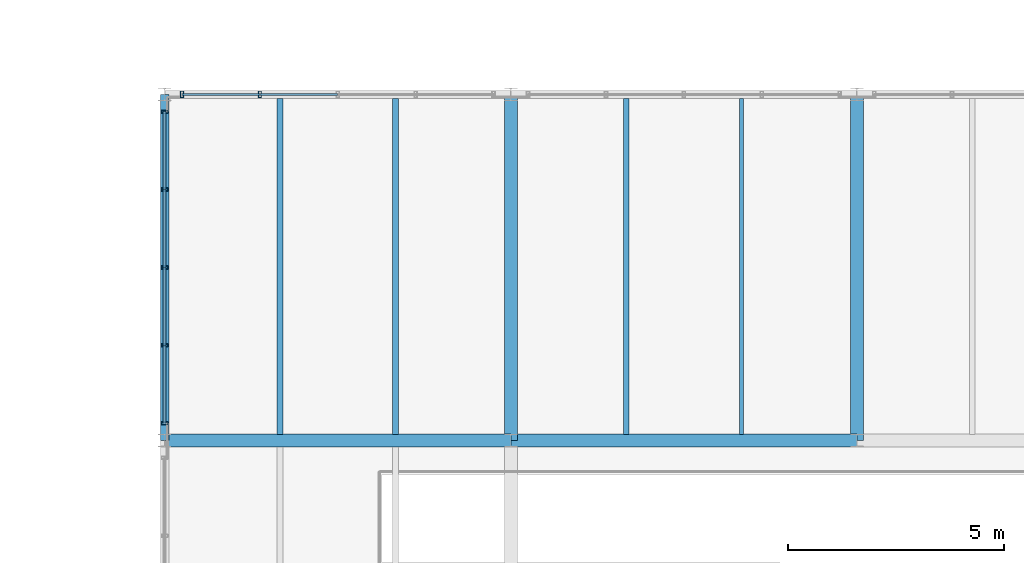
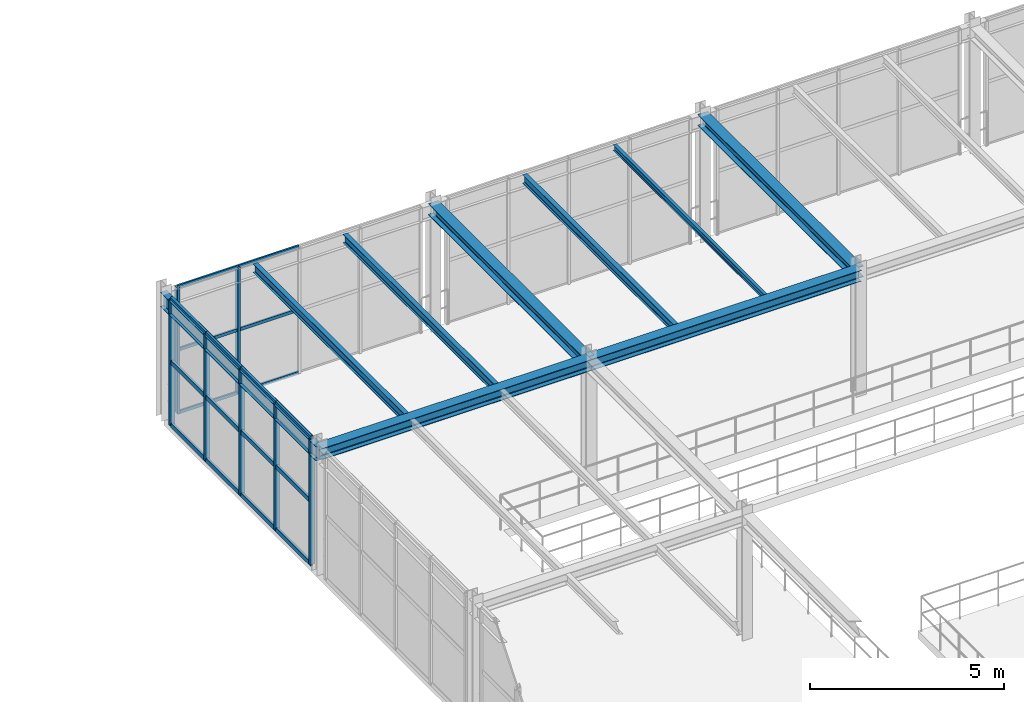
# One storey, part 46 of 124: 25 members, 9 beams, 2 elements without a shape of their own.
"""IFC4 building model written with IfcOpenShell, lengths in metres."""

from ifc_helpers import new_model, si_unit, direction, frame, origin, origin_2d, place, context, subcontext, project, spatial, hollow_rectangle, i_section, extrude, material, material_profile, profile_set, type_object, element, aggregate, save


model = new_model("IFC4")

# Units and contexts
model_context = context("Model", 3, precision=1e-05, world=origin(), true_north=direction((0.0, 1.0)))
body_context = subcontext(model_context, "Body", "Model", "MODEL_VIEW")
ifc_project = project(units=[si_unit("LENGTHUNIT", "METRE"), si_unit("AREAUNIT", "SQUARE_METRE"), si_unit("VOLUMEUNIT", "CUBIC_METRE"), si_unit("PLANEANGLEUNIT", "RADIAN"), si_unit("MASSUNIT", "GRAM", prefix="KILO")], contexts=[model_context])

# Site, building, storey
site_placement = place(None, origin())
site = spatial("IfcSite", under=ifc_project, at=site_placement, CompositionType="ELEMENT")
building_placement = place(site_placement, origin())
building = spatial("IfcBuilding", under=site, at=building_placement, Name="Sundkrona Museum", CompositionType="ELEMENT")
storey_placement = place(building_placement, frame((0.0, 0.0, 17.60009765625)))
storey = spatial("IfcBuildingStorey", under=building, at=storey_placement, Name="L03", CompositionType="ELEMENT", Elevation=17.60009765625)

# Beams
ifc_material_1 = material(Name="Steel S355J2", Category="steel")
ifc_material_profile_1 = material_profile(ifc_material_1, i_section(OverallWidth=0.300048828125, OverallDepth=0.35009765625, WebThickness=0.010009765625, FlangeThickness=0.017578125, FilletRadius=0.027099609375, at=origin_2d()), Name="HEA 360")
ifc_profile_set_1 = profile_set([ifc_material_profile_1], Name="Steel S355J2")
beam_type_1 = type_object("IfcBeamType", Name="B-HEA360", PredefinedType="BEAM", material=ifc_profile_set_1)
for number, where, z_axis, x_axis, name in (
    (1, (80.0, 32.0, 3.764892578125), (1.0, 0.0, 0.0), (0.0, 1.0, 0.0), "L03 Girder X-1444"),
    (2, (88.0, 32.0, 3.764892578125), (1.0, 0.0, 0.0), (0.0, 1.0, 0.0), "L03 Girder X-1445"),
    (3, (88.0, 32.0, 3.764892578125), (0.0, 1.0, 0.0), (-1.0, 0.0, 0.0), "L03 Girder Y-1612"),
    (4, (96.0, 32.0, 3.764892578125), (0.0, 1.0, 0.0), (-1.0, 0.0, 0.0), "L03 Girder Y-1614"),
):
    element("IfcBeam", number, at=place(storey_placement, frame(where, z_axis=z_axis, x_axis=x_axis)), inside=storey, type_object=beam_type_1, Name=name, PredefinedType="BEAM", context=body_context, shape_type="SweptSolid", body=[
        extrude(i_section(OverallWidth=0.300048828125, OverallDepth=0.35009765625, WebThickness=0.010009765625, FlangeThickness=0.017578125, FilletRadius=0.027099609375, at=origin_2d()), origin(), (0.0, 0.0, 1.0), 8.0),
    ])
ifc_material_profile_2 = material_profile(ifc_material_1, i_section(OverallWidth=0.091064453125, OverallDepth=0.179931640625, WebThickness=0.00537109375, FlangeThickness=0.008056640625, FilletRadius=0.009033203125, at=origin_2d()), Name="IPE 180")
ifc_profile_set_2 = profile_set([ifc_material_profile_2], Name="Steel S355J2")
beam_type_2 = type_object("IfcBeamType", Name="J-IPE180", PredefinedType="JOIST", material=ifc_profile_set_2)
beam_1_placement = place(storey_placement, frame((93.333251953125, 32.14404296875, 3.849853515625), z_axis=(0.0, 1.0, 0.0), x_axis=(-1.0, 0.0, 0.0)))
element("IfcBeam", 5, at=beam_1_placement, inside=storey, type_object=beam_type_2, Name="L03 Composite Joist 1055", PredefinedType="JOIST", context=body_context, shape_type="SweptSolid", body=[
    extrude(i_section(OverallWidth=0.091064453125, OverallDepth=0.179931640625, WebThickness=0.00537109375, FlangeThickness=0.008056640625, FilletRadius=0.009033203125, at=origin_2d()), origin(), (0.0, 0.0, 1.0), 7.766845703125),
])
ifc_material_profile_3 = material_profile(ifc_material_1, i_section(OverallWidth=0.135009765625, OverallDepth=0.27001953125, WebThickness=0.006591796875, FlangeThickness=0.01025390625, FilletRadius=0.014892578125, at=origin_2d()), Name="IPE 270")
ifc_profile_set_3 = profile_set([ifc_material_profile_3], Name="Steel S355J2")
beam_type_3 = type_object("IfcBeamType", Name="J-IPE270", PredefinedType="JOIST", material=ifc_profile_set_3)
for number, where, z_axis, x_axis, name in (
    (6, (82.666748046875, 32.14404296875, 3.804931640625), (0.0, 1.0, 0.0), (-1.0, 0.0, 0.0), "L03 Composite Joist 1050"),
    (7, (85.333251953125, 32.14404296875, 3.804931640625), (0.0, 1.0, 0.0), (-1.0, 0.0, 0.0), "L03 Composite Joist 1051"),
    (8, (90.666748046875, 32.14404296875, 3.804931640625), (0.0, 1.0, 0.0), (-1.0, 0.0, 0.0), "L03 Composite Joist 1054"),
):
    element("IfcBeam", number, at=place(storey_placement, frame(where, z_axis=z_axis, x_axis=x_axis)), inside=storey, type_object=beam_type_3, Name=name, PredefinedType="JOIST", context=body_context, shape_type="SweptSolid", body=[
        extrude(i_section(OverallWidth=0.135009765625, OverallDepth=0.27001953125, WebThickness=0.006591796875, FlangeThickness=0.01025390625, FilletRadius=0.014892578125, at=origin_2d()), origin(), (0.0, 0.0, 1.0), 7.766845703125),
    ])

# Curtain wall, members
ifc_material_2 = material(Name="Unitised Aluminium-Steel and Ceramic-Clad Curtain Walling", Category="steel")
curtain_wall_type = type_object("IfcCurtainWallType", Name="CW-AT-72x38", PredefinedType="NOTDEFINED", material=ifc_material_2)
curtain_wall_1_placement = place(storey_placement, origin())
curtain_wall_1 = element("IfcCurtainWall", 9, at=curtain_wall_1_placement, inside=storey, type_object=curtain_wall_type, Name="L03 Curtain Wall CW-L03-069", PredefinedType="NOTDEFINED")
ifc_material_3 = material(Name="Aluminium EN AW-6060 T66", Category="aluminium")
ifc_material_profile_4 = material_profile(ifc_material_3, hollow_rectangle(XDim=0.074951171875, YDim=0.14990234375, WallThickness=0.00634765625, at=origin_2d()), Name="RHS 150x75x6.3")
ifc_profile_set_4 = profile_set([ifc_material_profile_4], Name="Aluminium EN AW-6060 T66")
member_type_1 = type_object("IfcMemberType", Name="ML-150", PredefinedType="MULLION", material=ifc_profile_set_4)
member_1_placement = place(storey_placement, frame((80.0, 32.39990234375, -0.004150390625), z_axis=(0.0, 0.0, 1.0), x_axis=(0.0, 1.0, 0.0)))
member_1 = element("IfcMember", 10, at=member_1_placement, type_object=member_type_1, Name="CW-L03-069 Mullion 01", PredefinedType="MULLION", context=body_context, shape_type="SweptSolid", body=[
    extrude(hollow_rectangle(XDim=0.074951171875, YDim=0.14990234375, WallThickness=0.00634765625, at=origin_2d()), origin(), (0.0, 0.0, 1.0), 3.947998046875),
])
member_2_placement = place(storey_placement, frame((80.0, 34.199951171875, -0.004150390625), z_axis=(0.0, 0.0, 1.0), x_axis=(0.0, 1.0, 0.0)))
member_2 = element("IfcMember", 11, at=member_2_placement, type_object=member_type_1, Name="CW-L03-069 Mullion 02", PredefinedType="MULLION", context=body_context, shape_type="SweptSolid", body=[
    extrude(hollow_rectangle(XDim=0.074951171875, YDim=0.14990234375, WallThickness=0.00634765625, at=origin_2d()), origin(), (0.0, 0.0, 1.0), 3.947998046875),
])
member_3_placement = place(storey_placement, frame((80.0, 36.0, -0.004150390625), z_axis=(0.0, 0.0, 1.0), x_axis=(0.0, 1.0, 0.0)))
member_3 = element("IfcMember", 12, at=member_3_placement, type_object=member_type_1, Name="CW-L03-069 Mullion 03", PredefinedType="MULLION", context=body_context, shape_type="SweptSolid", body=[
    extrude(hollow_rectangle(XDim=0.074951171875, YDim=0.14990234375, WallThickness=0.00634765625, at=origin_2d()), origin(), (0.0, 0.0, 1.0), 3.947998046875),
])
member_4_placement = place(storey_placement, frame((80.0, 37.800048828125, -0.004150390625), z_axis=(0.0, 0.0, 1.0), x_axis=(0.0, 1.0, 0.0)))
member_4 = element("IfcMember", 13, at=member_4_placement, type_object=member_type_1, Name="CW-L03-069 Mullion 04", PredefinedType="MULLION", context=body_context, shape_type="SweptSolid", body=[
    extrude(hollow_rectangle(XDim=0.074951171875, YDim=0.14990234375, WallThickness=0.00634765625, at=origin_2d()), origin(), (0.0, 0.0, 1.0), 3.947998046875),
])
member_5_placement = place(storey_placement, frame((80.0, 39.60009765625, -0.004150390625), z_axis=(0.0, 0.0, 1.0), x_axis=(0.0, 1.0, 0.0)))
member_5 = element("IfcMember", 14, at=member_5_placement, type_object=member_type_1, Name="CW-L03-069 Mullion 05", PredefinedType="MULLION", context=body_context, shape_type="SweptSolid", body=[
    extrude(hollow_rectangle(XDim=0.074951171875, YDim=0.14990234375, WallThickness=0.00634765625, at=origin_2d()), origin(), (0.0, 0.0, 1.0), 3.947998046875),
])

curtain_wall_2_placement = place(storey_placement, origin())
curtain_wall_2 = element("IfcCurtainWall", 15, at=curtain_wall_2_placement, inside=storey, type_object=curtain_wall_type, Name="L03 Curtain Wall CW-L03-070", PredefinedType="NOTDEFINED")
member_6_placement = place(storey_placement, frame((80.39990234375, 40.0, -0.004150390625), z_axis=(0.0, 0.0, 1.0), x_axis=(1.0, 0.0, 0.0)))
member_6 = element("IfcMember", 16, at=member_6_placement, type_object=member_type_1, Name="CW-L03-070 Mullion 01", PredefinedType="MULLION", context=body_context, shape_type="SweptSolid", body=[
    extrude(hollow_rectangle(XDim=0.074951171875, YDim=0.14990234375, WallThickness=0.00634765625, at=origin_2d()), origin(), (0.0, 0.0, 1.0), 3.947998046875),
])
member_7_placement = place(storey_placement, frame((82.199951171875, 40.0, -0.004150390625), z_axis=(0.0, 0.0, 1.0), x_axis=(1.0, 0.0, 0.0)))
member_7 = element("IfcMember", 17, at=member_7_placement, type_object=member_type_1, Name="CW-L03-070 Mullion 02", PredefinedType="MULLION", context=body_context, shape_type="SweptSolid", body=[
    extrude(hollow_rectangle(XDim=0.074951171875, YDim=0.14990234375, WallThickness=0.00634765625, at=origin_2d()), origin(), (0.0, 0.0, 1.0), 3.947998046875),
])

# Beam
ifc_material_profile_5 = material_profile(ifc_material_1, i_section(OverallWidth=0.18994140625, OverallDepth=0.449951171875, WebThickness=0.009521484375, FlangeThickness=0.0146484375, FilletRadius=0.02099609375, at=origin_2d()), Name="IPE 450")
ifc_profile_set_5 = profile_set([ifc_material_profile_5], Name="Steel S355J2")
beam_type_4 = type_object("IfcBeamType", Name="SP-IPE450", PredefinedType="SPANDREL", material=ifc_profile_set_5)
beam_2_placement = place(storey_placement, frame((80.0, 32.0, 3.71484375), z_axis=(0.0, 1.0, 0.0), x_axis=(-1.0, 0.0, 0.0)))
element("IfcBeam", 18, at=beam_2_placement, inside=storey, type_object=beam_type_4, Name="L03 Girder Y-1602", PredefinedType="SPANDREL", context=body_context, shape_type="SweptSolid", body=[
    extrude(i_section(OverallWidth=0.18994140625, OverallDepth=0.449951171875, WebThickness=0.009521484375, FlangeThickness=0.0146484375, FilletRadius=0.02099609375, at=origin_2d()), origin(), (0.0, 0.0, 1.0), 8.0),
])

# Member
ifc_material_profile_6 = material_profile(ifc_material_3, hollow_rectangle(XDim=0.050048828125, YDim=0.10009765625, WallThickness=0.0048828125, at=origin_2d()), Name="RHS 100x50x5.0")
ifc_profile_set_6 = profile_set([ifc_material_profile_6], Name="Aluminium EN AW-6060 T66")
member_type_2 = type_object("IfcMemberType", Name="TR-100", PredefinedType="USERDEFINED", material=ifc_profile_set_6)
member_8_placement = place(storey_placement, frame((80.39990234375, 40.0, -0.004150390625), z_axis=(1.0, 0.0, 0.0), x_axis=(0.0, 1.0, 0.0)))
member_8 = element("IfcMember", 19, at=member_8_placement, type_object=member_type_2, Name="CW-L03-070 Transom 01", ObjectType="TRANSOM", PredefinedType="USERDEFINED", context=body_context, shape_type="SweptSolid", body=[
    extrude(hollow_rectangle(XDim=0.050048828125, YDim=0.10009765625, WallThickness=0.0048828125, at=origin_2d()), origin(), (0.0, 0.0, 1.0), 1.800048828125),
])

member_9_placement = place(storey_placement, frame((80.39990234375, 40.0, 1.969970703125), z_axis=(1.0, 0.0, 0.0), x_axis=(0.0, 1.0, 0.0)))
member_9 = element("IfcMember", 20, at=member_9_placement, type_object=member_type_2, Name="CW-L03-070 Transom 02", ObjectType="TRANSOM", PredefinedType="USERDEFINED", context=body_context, shape_type="SweptSolid", body=[
    extrude(hollow_rectangle(XDim=0.050048828125, YDim=0.10009765625, WallThickness=0.0048828125, at=origin_2d()), origin(), (0.0, 0.0, 1.0), 1.800048828125),
])

member_10_placement = place(storey_placement, frame((80.39990234375, 40.0, 3.94384765625), z_axis=(1.0, 0.0, 0.0), x_axis=(0.0, 1.0, 0.0)))
member_10 = element("IfcMember", 21, at=member_10_placement, type_object=member_type_2, Name="CW-L03-070 Transom 03", ObjectType="TRANSOM", PredefinedType="USERDEFINED", context=body_context, shape_type="SweptSolid", body=[
    extrude(hollow_rectangle(XDim=0.050048828125, YDim=0.10009765625, WallThickness=0.0048828125, at=origin_2d()), origin(), (0.0, 0.0, 1.0), 1.800048828125),
])

member_11_placement = place(storey_placement, frame((82.199951171875, 40.0, -0.004150390625), z_axis=(1.0, 0.0, 0.0), x_axis=(0.0, 1.0, 0.0)))
member_11 = element("IfcMember", 22, at=member_11_placement, type_object=member_type_2, Name="CW-L03-070 Transom 04", ObjectType="TRANSOM", PredefinedType="USERDEFINED", context=body_context, shape_type="SweptSolid", body=[
    extrude(hollow_rectangle(XDim=0.050048828125, YDim=0.10009765625, WallThickness=0.0048828125, at=origin_2d()), origin(), (0.0, 0.0, 1.0), 1.800048828125),
])

member_12_placement = place(storey_placement, frame((82.199951171875, 40.0, 1.969970703125), z_axis=(1.0, 0.0, 0.0), x_axis=(0.0, 1.0, 0.0)))
member_12 = element("IfcMember", 23, at=member_12_placement, type_object=member_type_2, Name="CW-L03-070 Transom 05", ObjectType="TRANSOM", PredefinedType="USERDEFINED", context=body_context, shape_type="SweptSolid", body=[
    extrude(hollow_rectangle(XDim=0.050048828125, YDim=0.10009765625, WallThickness=0.0048828125, at=origin_2d()), origin(), (0.0, 0.0, 1.0), 1.800048828125),
])

member_13_placement = place(storey_placement, frame((82.199951171875, 40.0, 3.94384765625), z_axis=(1.0, 0.0, 0.0), x_axis=(0.0, 1.0, 0.0)))
member_13 = element("IfcMember", 24, at=member_13_placement, type_object=member_type_2, Name="CW-L03-070 Transom 06", ObjectType="TRANSOM", PredefinedType="USERDEFINED", context=body_context, shape_type="SweptSolid", body=[
    extrude(hollow_rectangle(XDim=0.050048828125, YDim=0.10009765625, WallThickness=0.0048828125, at=origin_2d()), origin(), (0.0, 0.0, 1.0), 1.800048828125),
])

aggregate(curtain_wall_2, [member_6, member_7, member_8, member_9, member_10, member_11, member_12, member_13])

ifc_material_profile_7 = material_profile(ifc_material_3, hollow_rectangle(XDim=0.070068359375, YDim=0.139892578125, WallThickness=0.0048828125, at=origin_2d()), Name="RHS 140x70x5.0")
ifc_profile_set_7 = profile_set([ifc_material_profile_7], Name="Aluminium EN AW-6060 T66")
member_type_3 = type_object("IfcMemberType", Name="TR-140", PredefinedType="USERDEFINED", material=ifc_profile_set_7)
member_14_placement = place(storey_placement, frame((80.0, 32.39990234375, -0.004150390625), z_axis=(0.0, 1.0, 0.0), x_axis=(-1.0, 0.0, 0.0)))
member_14 = element("IfcMember", 25, at=member_14_placement, type_object=member_type_3, Name="CW-L03-069 Transom 01", ObjectType="TRANSOM", PredefinedType="USERDEFINED", context=body_context, shape_type="SweptSolid", body=[
    extrude(hollow_rectangle(XDim=0.070068359375, YDim=0.139892578125, WallThickness=0.0048828125, at=origin_2d()), origin(), (0.0, 0.0, 1.0), 1.800048828125),
])

member_15_placement = place(storey_placement, frame((80.0, 32.39990234375, 1.969970703125), z_axis=(0.0, 1.0, 0.0), x_axis=(-1.0, 0.0, 0.0)))
member_15 = element("IfcMember", 26, at=member_15_placement, type_object=member_type_3, Name="CW-L03-069 Transom 02", ObjectType="TRANSOM", PredefinedType="USERDEFINED", context=body_context, shape_type="SweptSolid", body=[
    extrude(hollow_rectangle(XDim=0.070068359375, YDim=0.139892578125, WallThickness=0.0048828125, at=origin_2d()), origin(), (0.0, 0.0, 1.0), 1.800048828125),
])

member_16_placement = place(storey_placement, frame((80.0, 32.39990234375, 3.94384765625), z_axis=(0.0, 1.0, 0.0), x_axis=(-1.0, 0.0, 0.0)))
member_16 = element("IfcMember", 27, at=member_16_placement, type_object=member_type_3, Name="CW-L03-069 Transom 03", ObjectType="TRANSOM", PredefinedType="USERDEFINED", context=body_context, shape_type="SweptSolid", body=[
    extrude(hollow_rectangle(XDim=0.070068359375, YDim=0.139892578125, WallThickness=0.0048828125, at=origin_2d()), origin(), (0.0, 0.0, 1.0), 1.800048828125),
])

member_17_placement = place(storey_placement, frame((80.0, 34.199951171875, -0.004150390625), z_axis=(0.0, 1.0, 0.0), x_axis=(-1.0, 0.0, 0.0)))
member_17 = element("IfcMember", 28, at=member_17_placement, type_object=member_type_3, Name="CW-L03-069 Transom 04", ObjectType="TRANSOM", PredefinedType="USERDEFINED", context=body_context, shape_type="SweptSolid", body=[
    extrude(hollow_rectangle(XDim=0.070068359375, YDim=0.139892578125, WallThickness=0.0048828125, at=origin_2d()), origin(), (0.0, 0.0, 1.0), 1.800048828125),
])

member_18_placement = place(storey_placement, frame((80.0, 34.199951171875, 1.969970703125), z_axis=(0.0, 1.0, 0.0), x_axis=(-1.0, 0.0, 0.0)))
member_18 = element("IfcMember", 29, at=member_18_placement, type_object=member_type_3, Name="CW-L03-069 Transom 05", ObjectType="TRANSOM", PredefinedType="USERDEFINED", context=body_context, shape_type="SweptSolid", body=[
    extrude(hollow_rectangle(XDim=0.070068359375, YDim=0.139892578125, WallThickness=0.0048828125, at=origin_2d()), origin(), (0.0, 0.0, 1.0), 1.800048828125),
])

member_19_placement = place(storey_placement, frame((80.0, 34.199951171875, 3.94384765625), z_axis=(0.0, 1.0, 0.0), x_axis=(-1.0, 0.0, 0.0)))
member_19 = element("IfcMember", 30, at=member_19_placement, type_object=member_type_3, Name="CW-L03-069 Transom 06", ObjectType="TRANSOM", PredefinedType="USERDEFINED", context=body_context, shape_type="SweptSolid", body=[
    extrude(hollow_rectangle(XDim=0.070068359375, YDim=0.139892578125, WallThickness=0.0048828125, at=origin_2d()), origin(), (0.0, 0.0, 1.0), 1.800048828125),
])

member_20_placement = place(storey_placement, frame((80.0, 36.0, -0.004150390625), z_axis=(0.0, 1.0, 0.0), x_axis=(-1.0, 0.0, 0.0)))
member_20 = element("IfcMember", 31, at=member_20_placement, type_object=member_type_3, Name="CW-L03-069 Transom 07", ObjectType="TRANSOM", PredefinedType="USERDEFINED", context=body_context, shape_type="SweptSolid", body=[
    extrude(hollow_rectangle(XDim=0.070068359375, YDim=0.139892578125, WallThickness=0.0048828125, at=origin_2d()), origin(), (0.0, 0.0, 1.0), 1.800048828125),
])

member_21_placement = place(storey_placement, frame((80.0, 36.0, 1.969970703125), z_axis=(0.0, 1.0, 0.0), x_axis=(-1.0, 0.0, 0.0)))
member_21 = element("IfcMember", 32, at=member_21_placement, type_object=member_type_3, Name="CW-L03-069 Transom 08", ObjectType="TRANSOM", PredefinedType="USERDEFINED", context=body_context, shape_type="SweptSolid", body=[
    extrude(hollow_rectangle(XDim=0.070068359375, YDim=0.139892578125, WallThickness=0.0048828125, at=origin_2d()), origin(), (0.0, 0.0, 1.0), 1.800048828125),
])

member_22_placement = place(storey_placement, frame((80.0, 36.0, 3.94384765625), z_axis=(0.0, 1.0, 0.0), x_axis=(-1.0, 0.0, 0.0)))
member_22 = element("IfcMember", 33, at=member_22_placement, type_object=member_type_3, Name="CW-L03-069 Transom 09", ObjectType="TRANSOM", PredefinedType="USERDEFINED", context=body_context, shape_type="SweptSolid", body=[
    extrude(hollow_rectangle(XDim=0.070068359375, YDim=0.139892578125, WallThickness=0.0048828125, at=origin_2d()), origin(), (0.0, 0.0, 1.0), 1.800048828125),
])

member_23_placement = place(storey_placement, frame((80.0, 37.800048828125, -0.004150390625), z_axis=(0.0, 1.0, 0.0), x_axis=(-1.0, 0.0, 0.0)))
member_23 = element("IfcMember", 34, at=member_23_placement, type_object=member_type_3, Name="CW-L03-069 Transom 10", ObjectType="TRANSOM", PredefinedType="USERDEFINED", context=body_context, shape_type="SweptSolid", body=[
    extrude(hollow_rectangle(XDim=0.070068359375, YDim=0.139892578125, WallThickness=0.0048828125, at=origin_2d()), origin(), (0.0, 0.0, 1.0), 1.800048828125),
])

member_24_placement = place(storey_placement, frame((80.0, 37.800048828125, 1.969970703125), z_axis=(0.0, 1.0, 0.0), x_axis=(-1.0, 0.0, 0.0)))
member_24 = element("IfcMember", 35, at=member_24_placement, type_object=member_type_3, Name="CW-L03-069 Transom 11", ObjectType="TRANSOM", PredefinedType="USERDEFINED", context=body_context, shape_type="SweptSolid", body=[
    extrude(hollow_rectangle(XDim=0.070068359375, YDim=0.139892578125, WallThickness=0.0048828125, at=origin_2d()), origin(), (0.0, 0.0, 1.0), 1.800048828125),
])

member_25_placement = place(storey_placement, frame((80.0, 37.800048828125, 3.94384765625), z_axis=(0.0, 1.0, 0.0), x_axis=(-1.0, 0.0, 0.0)))
member_25 = element("IfcMember", 36, at=member_25_placement, type_object=member_type_3, Name="CW-L03-069 Transom 12", ObjectType="TRANSOM", PredefinedType="USERDEFINED", context=body_context, shape_type="SweptSolid", body=[
    extrude(hollow_rectangle(XDim=0.070068359375, YDim=0.139892578125, WallThickness=0.0048828125, at=origin_2d()), origin(), (0.0, 0.0, 1.0), 1.800048828125),
])

aggregate(curtain_wall_1, [member_1, member_2, member_3, member_4, member_5, member_14, member_15, member_16, member_17, member_18, member_19, member_20, member_21, member_22, member_23, member_24, member_25])

save(model, "model.ifc")
